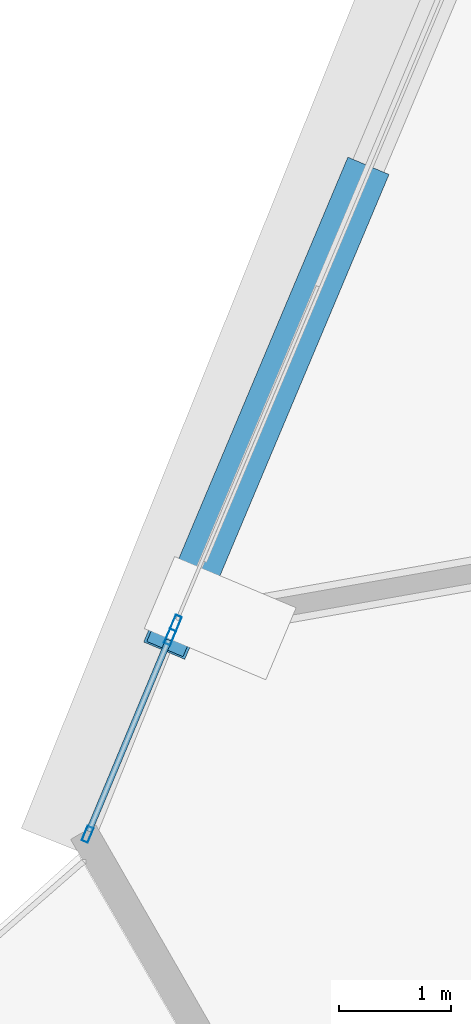
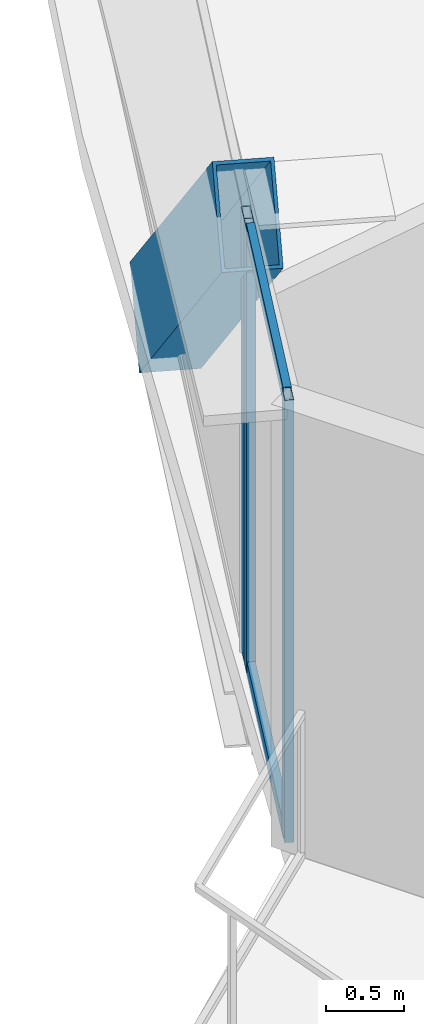
# One storey, part 4 of 35: 6 members, 2 elements without a shape of their own.
"""IFC4 building model written with IfcOpenShell, lengths in metres."""

from ifc_helpers import new_model, si_unit, direction, frame, origin, origin_2d, place, context, subcontext, project, spatial, hollow_rectangle, extrude, source, transform, mapped, material, layer, layer_set, material_profile, profile_set, type_object, element, aggregate, save


model = new_model("IFC4")

# Units and contexts
model_context = context("Model", 3, precision=1e-05, world=origin(), true_north=direction((0.0, 1.0)))
body_context = subcontext(model_context, "Body", "Model", "MODEL_VIEW")
ifc_project = project(units=[si_unit("LENGTHUNIT", "METRE"), si_unit("AREAUNIT", "SQUARE_METRE"), si_unit("VOLUMEUNIT", "CUBIC_METRE"), si_unit("PLANEANGLEUNIT", "RADIAN"), si_unit("MASSUNIT", "GRAM", prefix="KILO"), si_unit("THERMODYNAMICTEMPERATUREUNIT", "KELVIN"), si_unit("POWERUNIT", "WATT")], contexts=[model_context])

# Site, building, storey
site_placement = place(None, origin())
site = spatial("IfcSite", under=ifc_project, at=site_placement, CompositionType="ELEMENT")
building_placement = place(site_placement, origin())
building = spatial("IfcBuilding", under=site, at=building_placement, Name="Yunzhuo Pagoda Commons", CompositionType="ELEMENT")
storey_placement = place(building_placement, frame((0.0, 0.0, 237.070068359375)))
storey = spatial("IfcBuildingStorey", under=building, at=storey_placement, Name="L59", CompositionType="ELEMENT", Elevation=237.070068359375)

# Member
ifc_material_1 = material(Name="Structural steel Q355B", Category="steel")
ifc_material_profile_1 = material_profile(ifc_material_1, hollow_rectangle(XDim=0.39990234375, YDim=0.719970703125, WallThickness=0.02392578125, at=origin_2d()), Name="Structural steel Q355B")
ifc_profile_set_1 = profile_set([ifc_material_profile_1], Name="Structural steel Q355B")
member_type_1 = type_object("IfcMemberType", Name="M-DL2 Brace BOX 720x400x24", PredefinedType="BRACE", material=ifc_profile_set_1)
shared_shape_1 = source(origin(), body_context, "Body", "SweptSolid", [
    extrude(hollow_rectangle(XDim=0.39990234375, YDim=0.719970703125, WallThickness=0.02392578125, at=origin_2d()), origin(), (0.0, 0.0, 1.0), 5.644775390625),
])
member_1_placement = place(storey_placement, frame((14.221923828125, 31.358642578125, -0.260009765625), z_axis=(-0.291340589112, -0.691717642765, 0.660792981064), x_axis=(0.921591981361, -0.388160044172, 0.0)))
element("IfcMember", 1, at=member_1_placement, inside=storey, type_object=member_type_1, Name="L59 facade diamond brace F3.3R", PredefinedType="BRACE", context=body_context, shape_type="MappedRepresentation", body=[
    mapped(shared_shape_1, transform((0.0, 0.0, 0.0), scale=1.0)),
])

# Curtain wall, member
ifc_material_2 = material(Name="Anodized aluminium 6063-T6", Category="aluminium")
ifc_layer = layer(ifc_material_2, 0.139892578125)
ifc_layer_set = layer_set([ifc_layer], Name="Anodized aluminium 6063-T6")
curtain_wall_type = type_object("IfcCurtainWallType", Name="CW-HI High-Zone Ribbon Curtain Wall", PredefinedType="NOTDEFINED", material=ifc_layer_set)
curtain_wall_1_placement = place(storey_placement, origin())
curtain_wall_1 = element("IfcCurtainWall", 2, at=curtain_wall_1_placement, inside=storey, type_object=curtain_wall_type, Name="L59 curtain wall CW-L59-F3B4", PredefinedType="NOTDEFINED")
ifc_material_profile_2 = material_profile(ifc_material_2, hollow_rectangle(XDim=0.06005859375, YDim=0.139892578125, WallThickness=0.00341796875, at=origin_2d()), Name="Anodized aluminium 6063-T6")
ifc_profile_set_2 = profile_set([ifc_material_profile_2], Name="Anodized aluminium 6063-T6")
member_type_2 = type_object("IfcMemberType", Name="CW-HI-M Mullion RHS 140x60x3.5", PredefinedType="MULLION", material=ifc_profile_set_2)
shared_shape_2 = source(origin(), body_context, "Body", "SweptSolid", [
    extrude(hollow_rectangle(XDim=0.06005859375, YDim=0.139892578125, WallThickness=0.00341796875, at=origin_2d()), origin(), (0.0, 0.0, 1.0), 3.469970703125),
])
member_2_placement = place(storey_placement, frame((12.589111328125, 27.48193359375, 0.0), z_axis=(0.0, 0.0, 1.0), x_axis=(0.92158893956, -0.388167266112, 0.0)))
member_2 = element("IfcMember", 3, at=member_2_placement, type_object=member_type_2, Name="CW mullion 2", PredefinedType="MULLION", context=body_context, shape_type="MappedRepresentation", body=[
    mapped(shared_shape_2, transform((0.0, 0.0, 0.0), scale=1.0)),
])
aggregate(curtain_wall_1, [member_2])

# Curtain wall, members
curtain_wall_2_placement = place(storey_placement, origin())
curtain_wall_2 = element("IfcCurtainWall", 4, at=curtain_wall_2_placement, inside=storey, type_object=curtain_wall_type, Name="L59 curtain wall CW-L59-F3B5", PredefinedType="NOTDEFINED")
member_3_placement = place(storey_placement, frame((12.537109375, 27.357177734375, 0.0), z_axis=(0.0, 0.0, 1.0), x_axis=(0.922772675165, -0.385344767667, 0.0)))
member_3 = element("IfcMember", 5, at=member_3_placement, type_object=member_type_2, Name="CW mullion 1", PredefinedType="MULLION", context=body_context, shape_type="MappedRepresentation", body=[
    mapped(shared_shape_2, transform((0.0, 0.0, 0.0), scale=1.0)),
])
member_4_placement = place(storey_placement, frame((11.798828125, 25.589599609375, 0.0), z_axis=(0.0, 0.0, 1.0), x_axis=(0.922772675165, -0.385344767667, 0.0)))
member_4 = element("IfcMember", 6, at=member_4_placement, type_object=member_type_2, Name="CW mullion 2", PredefinedType="MULLION", context=body_context, shape_type="MappedRepresentation", body=[
    mapped(shared_shape_2, transform((0.0, 0.0, 0.0), scale=1.0)),
])
ifc_material_profile_3 = material_profile(ifc_material_2, hollow_rectangle(XDim=0.054931640625, YDim=0.1201171875, WallThickness=0.00341796875, at=origin_2d()), Name="Anodized aluminium 6063-T6")
ifc_profile_set_3 = profile_set([ifc_material_profile_3], Name="Anodized aluminium 6063-T6")
member_type_3 = type_object("IfcMemberType", Name="CW-HI-T Transom RHS 120x55x3.5", PredefinedType="USERDEFINED", material=ifc_profile_set_3)
shared_shape_3 = source(origin(), body_context, "Body", "SweptSolid", [
    extrude(hollow_rectangle(XDim=0.054931640625, YDim=0.1201171875, WallThickness=0.00341796875, at=origin_2d()), origin(), (0.0, 0.0, 1.0), 1.85595703125),
])
member_5_placement = place(storey_placement, frame((12.525390625, 27.32958984375, 0.02734375), z_axis=(-0.385297137482, -0.922792563823, 0.0), x_axis=(0.922792563823, -0.385297137482, 0.0)))
member_5 = element("IfcMember", 7, at=member_5_placement, type_object=member_type_3, Name="CW transom 1.1", ObjectType="TRANSOM", PredefinedType="USERDEFINED", context=body_context, shape_type="MappedRepresentation", body=[
    mapped(shared_shape_3, transform((0.0, 0.0, 0.0), scale=1.0)),
])
member_6_placement = place(storey_placement, frame((12.525390625, 27.32958984375, 3.4423828125), z_axis=(-0.385297137482, -0.922792563823, 0.0), x_axis=(0.922792563823, -0.385297137482, 0.0)))
member_6 = element("IfcMember", 8, at=member_6_placement, type_object=member_type_3, Name="CW transom 1.2", ObjectType="TRANSOM", PredefinedType="USERDEFINED", context=body_context, shape_type="MappedRepresentation", body=[
    mapped(shared_shape_3, transform((0.0, 0.0, 0.0), scale=1.0)),
])
aggregate(curtain_wall_2, [member_3, member_4, member_5, member_6])

save(model, "model.ifc")
